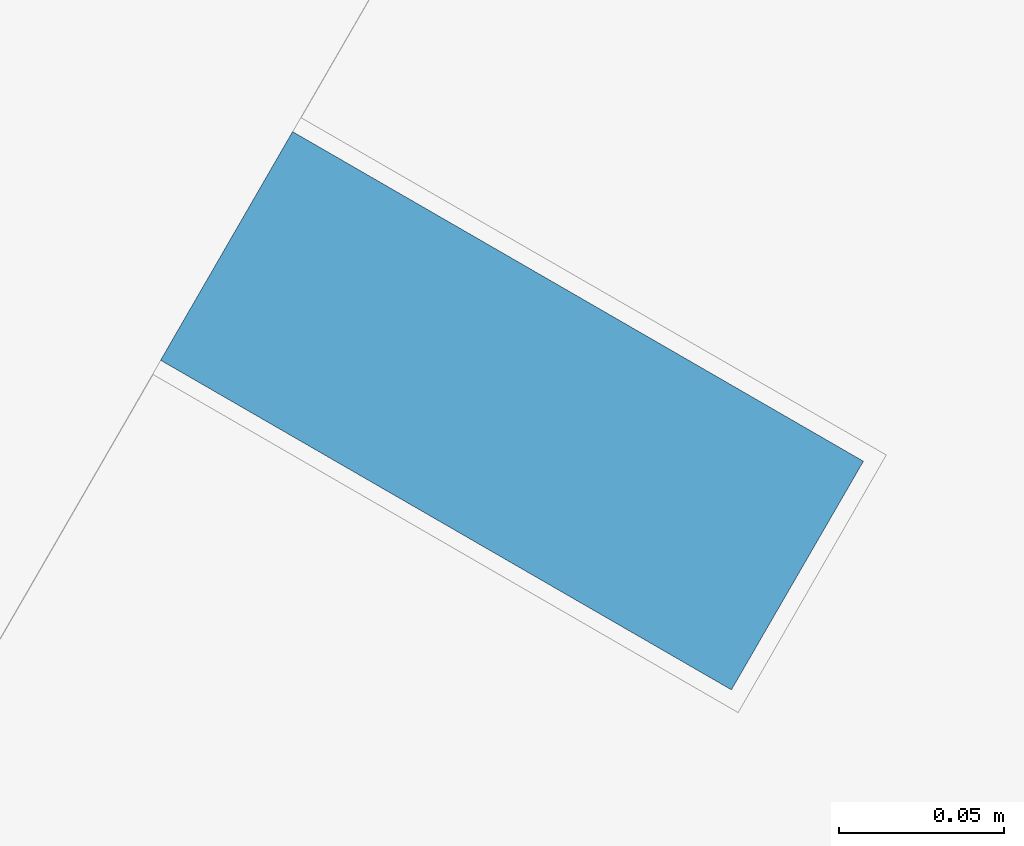
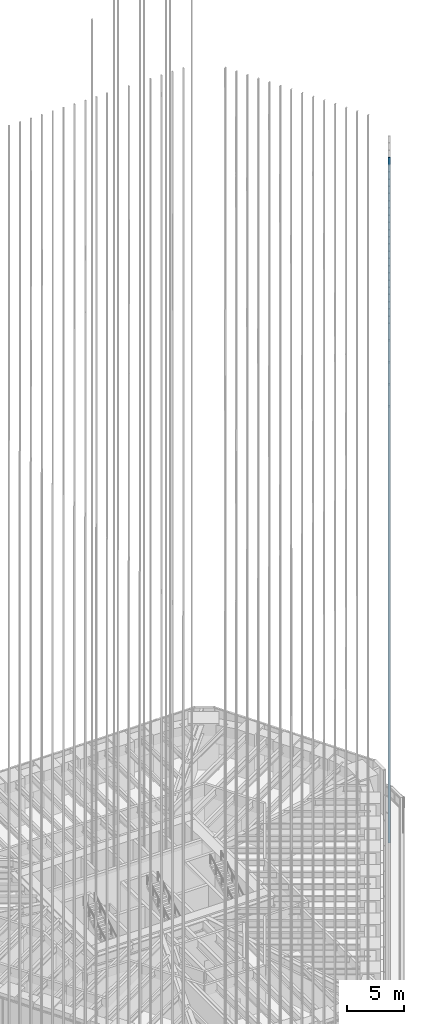
# One storey, part 123 of 228: 1 member, 1 element without a shape of its own.
"""IFC4 building model written with IfcOpenShell, lengths in metres."""

from ifc_helpers import new_model, si_unit, direction, frame, origin, origin_2d, place, context, subcontext, project, spatial, rectangle, extrude, material, material_profile, profile_set, type_object, element, aggregate, save


model = new_model("IFC4")

# Units and contexts
model_context = context("Model", 3, precision=1e-05, world=origin(), true_north=direction((0.0, 1.0)))
body_context = subcontext(model_context, "Body", "Model", "MODEL_VIEW")
ifc_project = project(units=[si_unit("LENGTHUNIT", "METRE"), si_unit("AREAUNIT", "SQUARE_METRE"), si_unit("VOLUMEUNIT", "CUBIC_METRE"), si_unit("PLANEANGLEUNIT", "RADIAN"), si_unit("MASSUNIT", "GRAM", prefix="KILO")], contexts=[model_context])

# Site, building, storey
site_placement = place(None, origin())
site = spatial("IfcSite", under=ifc_project, at=site_placement, CompositionType="ELEMENT")
building_placement = place(site_placement, origin())
building = spatial("IfcBuilding", under=site, at=building_placement, Name="Sandreach Pilgrim Tower", CompositionType="ELEMENT")
storey_placement = place(building_placement, frame((0.0, 0.0, 178.199951171875)))
storey = spatial("IfcBuildingStorey", under=building, at=storey_placement, Name="L44", CompositionType="ELEMENT", Elevation=178.199951171875)

# Curtain wall, member
ifc_material_1 = material(Name="Aluminium framed curtain wall", Category="aluminium")
curtain_wall_type = type_object("IfcCurtainWallType", Name="Upper hotel tower curtain wall", PredefinedType="NOTDEFINED", material=ifc_material_1)
curtain_wall_placement = place(storey_placement, origin())
curtain_wall = element("IfcCurtainWall", 1, at=curtain_wall_placement, inside=storey, type_object=curtain_wall_type, Name="CW-3 L44 SE", PredefinedType="NOTDEFINED")
ifc_material_2 = material(Name="Extruded terracotta on aluminium core", Category="masonry")
ifc_material_profile = material_profile(ifc_material_2, rectangle(XDim=0.080078125, YDim=0.199951171875, at=origin_2d()), Name="TBE 80X200")
ifc_profile_set = profile_set([ifc_material_profile], Name="Extruded terracotta on aluminium core")
member_type = type_object("IfcMemberType", Name="Terracotta baguette east", PredefinedType="USERDEFINED", material=ifc_profile_set)
member_placement = place(storey_placement, frame((25.279296875, 0.6650390625, 0.0), z_axis=(0.0, 0.0, 1.0), x_axis=(-0.5, -0.866025403784, 0.0)))
member = element("IfcMember", 2, at=member_placement, type_object=member_type, Name="Baguette Z3 SE04", ObjectType="BAGUETTE", PredefinedType="USERDEFINED", context=body_context, shape_type="SweptSolid", body=[
    extrude(rectangle(XDim=0.080078125, YDim=0.199951171875, at=origin_2d()), origin(), (0.0, 0.0, 1.0), 73.239990234375),
])
aggregate(curtain_wall, [member])

save(model, "model.ifc")
